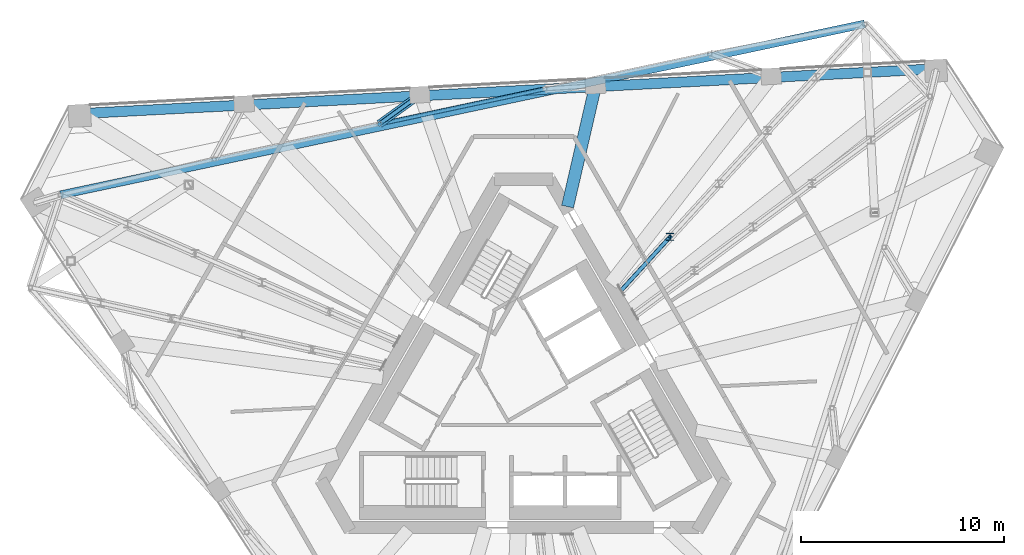
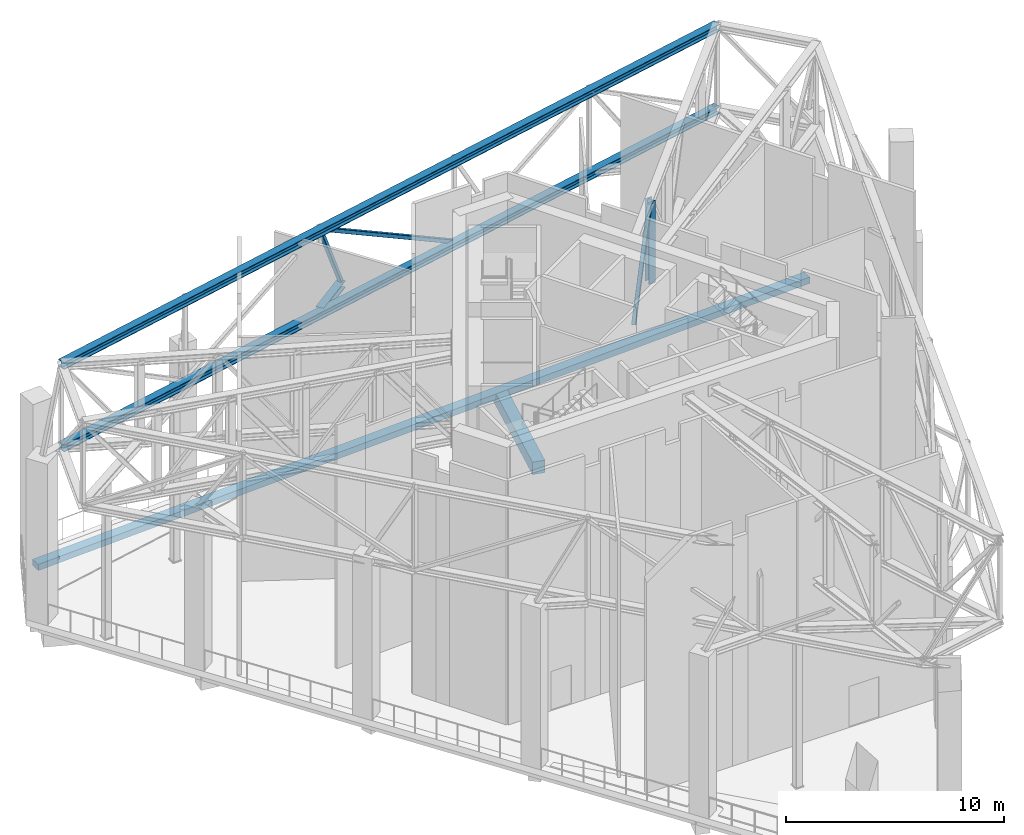
# One storey, part 12 of 23: 7 members, 2 beams.
"""IFC4 building model written with IfcOpenShell, lengths in metres."""

from ifc_helpers import new_model, si_unit, direction, frame, origin, origin_2d, place, context, subcontext, project, spatial, rectangle, hollow_rectangle, i_section, extrude, material, material_profile, profile_set, type_object, element, save


model = new_model("IFC4")

# Units and contexts
model_context = context("Model", 3, precision=1e-05, world=origin(), true_north=direction((0.0, 1.0)))
body_context = subcontext(model_context, "Body", "Model", "MODEL_VIEW")
ifc_project = project(units=[si_unit("LENGTHUNIT", "METRE"), si_unit("AREAUNIT", "SQUARE_METRE"), si_unit("VOLUMEUNIT", "CUBIC_METRE"), si_unit("PLANEANGLEUNIT", "RADIAN"), si_unit("MASSUNIT", "GRAM", prefix="KILO")], contexts=[model_context])

# Site, building, storey
site_placement = place(None, origin())
site = spatial("IfcSite", under=ifc_project, at=site_placement, CompositionType="ELEMENT")
building_placement = place(site_placement, origin())
building = spatial("IfcBuilding", under=site, at=building_placement, Name="Tramontana Tower", CompositionType="ELEMENT")
storey_placement = place(building_placement, frame((0.0, 0.0, 306.39990234375)))
storey = spatial("IfcBuildingStorey", under=building, at=storey_placement, Name="L72", CompositionType="ELEMENT", Elevation=306.39990234375)

# Members
ifc_material_1 = material(Name="Steel ASTM A500 Grade C", Category="steel")
ifc_material_profile_1 = material_profile(ifc_material_1, hollow_rectangle(XDim=0.203125, YDim=0.203125, WallThickness=0.0087890625, InnerFilletRadius=0.0087890625, OuterFilletRadius=0.017822265625, at=origin_2d()), Name="HSS8X8X3/8")
ifc_profile_set_1 = profile_set([ifc_material_profile_1], Name="Steel ASTM A500 Grade C")
member_type_1 = type_object("IfcMemberType", Name="Belt truss HSS8X8X3/8 brace", PredefinedType="BRACE", material=ifc_profile_set_1)
member_1_placement = place(storey_placement, frame((1.030517578125, 15.145263671875, 8.84375), z_axis=(-0.855325865584, -0.181803930719, 0.485144302695), x_axis=(0.207910383976, -0.978147878511, 0.0)))
element("IfcMember", 1, at=member_1_placement, inside=storey, type_object=member_type_1, Name="Belt truss diagonal S2.3", PredefinedType="BRACE", context=body_context, shape_type="SweptSolid", body=[
    extrude(hollow_rectangle(XDim=0.203125, YDim=0.203125, WallThickness=0.0087890625, InnerFilletRadius=0.0087890625, OuterFilletRadius=0.017822265625, at=origin_2d()), origin(), (0.0, 0.0, 1.0), 9.507568359375),
])
ifc_material_2 = material(Name="Steel ASTM A992 Grade 50", Category="steel")
ifc_material_profile_2 = material_profile(ifc_material_2, i_section(OverallWidth=0.39697265625, OverallDepth=0.387451171875, WebThickness=0.020751953125, FlangeThickness=0.033447265625, FilletRadius=0.01513671875, at=origin_2d()), Name="W14X176")
ifc_profile_set_2 = profile_set([ifc_material_profile_2], Name="Steel ASTM A992 Grade 50")
member_type_2 = type_object("IfcMemberType", Name="Belt truss W14X176 chord", PredefinedType="CHORD", material=ifc_profile_set_2)
for number, where, z_axis, x_axis, name in (
    (2, (16.7880859375, 18.34130859375, 8.84375), (-0.9781475037, -0.207912147326, 0.0), (0.207912147326, -0.9781475037, 0.0), "Belt truss bottom chord S2"),
    (3, (16.7880859375, 18.34130859375, 13.456298828125), (-0.9781475037, -0.207912147326, 0.0), (0.207912147326, -0.9781475037, 0.0), "Belt truss top chord S2"),
):
    element("IfcMember", number, at=place(storey_placement, frame(where, z_axis=z_axis, x_axis=x_axis)), inside=storey, type_object=member_type_2, Name=name, PredefinedType="CHORD", context=body_context, shape_type="SweptSolid", body=[
        extrude(i_section(OverallWidth=0.39697265625, OverallDepth=0.387451171875, WebThickness=0.020751953125, FlangeThickness=0.033447265625, FilletRadius=0.01513671875, at=origin_2d()), origin(), (0.0, 0.0, 1.0), 40.46923828125),
    ])
ifc_material_3 = material(Name="Steel ASTM A500 Grade C", Category="steel")
ifc_material_profile_3 = material_profile(ifc_material_3, hollow_rectangle(XDim=0.203125, YDim=0.203125, WallThickness=0.0087890625, InnerFilletRadius=0.0087890625, OuterFilletRadius=0.017822265625, at=origin_2d()), Name="HSS8X8X3/8")
ifc_profile_set_3 = profile_set([ifc_material_profile_3], Name="Steel ASTM A500 Grade C")
member_type_3 = type_object("IfcMemberType", Name="Outrigger truss HSS8X8X3/8 brace", PredefinedType="BRACE", material=ifc_profile_set_3)
member_2_placement = place(storey_placement, frame((4.814208984375, 5.24169921875, 8.84375), z_axis=(0.411461951754, 0.450137445639, 0.792512045519), x_axis=(-0.738104165286, 0.674686772649, 0.0)))
element("IfcMember", 4, at=member_2_placement, inside=storey, type_object=member_type_3, Name="Outrigger truss diagonal 4.1", PredefinedType="BRACE", context=body_context, shape_type="SweptSolid", body=[
    extrude(hollow_rectangle(XDim=0.203125, YDim=0.203125, WallThickness=0.0087890625, InnerFilletRadius=0.0087890625, OuterFilletRadius=0.017822265625, at=origin_2d()), origin(), (0.0, 0.0, 1.0), 5.820068359375),
])
ifc_material_4 = material(Name="Steel ASTM A992 Grade 50", Category="steel")
ifc_material_profile_4 = material_profile(ifc_material_4, i_section(OverallWidth=0.368408203125, OverallDepth=0.355712890625, WebThickness=0.01123046875, FlangeThickness=0.017578125, FilletRadius=0.01513671875, at=origin_2d()), Name="W14X90")
ifc_profile_set_4 = profile_set([ifc_material_profile_4], Name="Steel ASTM A992 Grade 50")
member_type_4 = type_object("IfcMemberType", Name="Outrigger truss W14X90 post", PredefinedType="POST", material=ifc_profile_set_4)
member_3_placement = place(storey_placement, frame((7.208984375, 7.861572265625, 8.84375), z_axis=(0.0, 0.0, 1.0), x_axis=(1.0, 0.0, 0.0)))
element("IfcMember", 5, at=member_3_placement, inside=storey, type_object=member_type_4, Name="Outrigger truss post 4.1", PredefinedType="POST", context=body_context, shape_type="SweptSolid", body=[
    extrude(i_section(OverallWidth=0.368408203125, OverallDepth=0.355712890625, WebThickness=0.01123046875, FlangeThickness=0.017578125, FilletRadius=0.01513671875, at=origin_2d()), origin(), (0.0, 0.0, 1.0), 4.612548828125),
])

# Beams
ifc_material_5 = material(Name="Concrete 40 MPa", Category="concrete")
ifc_material_profile_5 = material_profile(ifc_material_5, rectangle(XDim=0.5, YDim=0.35009765625, at=origin_2d()), Name="RC EDGE BEAM 500X350 40 MPa")
ifc_profile_set_5 = profile_set([ifc_material_profile_5], Name="Concrete 40 MPa")
beam_type_1 = type_object("IfcBeamType", Name="RC EDGE BEAM 500X350 40 MPa", PredefinedType="SPANDREL", material=ifc_profile_set_5)
beam_1_placement = place(storey_placement, frame((20.2841796875, 16.1337890625, -0.52490234375), z_axis=(-0.998629423141, -0.052338085918, 0.0), x_axis=(0.052338085918, -0.998629423141, 0.0)))
element("IfcBeam", 6, at=beam_1_placement, inside=storey, type_object=beam_type_1, Name="Spandrel beam S2 L72", PredefinedType="SPANDREL", context=body_context, shape_type="SweptSolid", body=[
    extrude(rectangle(XDim=0.5, YDim=0.35009765625, at=origin_2d()), origin(), (0.0, 0.0, 1.0), 42.201416015625),
])
ifc_material_6 = material(Name="Concrete 40 MPa", Category="concrete")
ifc_material_profile_6 = material_profile(ifc_material_6, rectangle(XDim=0.60009765625, YDim=0.699951171875, at=origin_2d()), Name="RC GIRDER 600X700 40 MPa")
ifc_profile_set_6 = profile_set([ifc_material_profile_6], Name="Concrete 40 MPa")
beam_type_2 = type_object("IfcBeamType", Name="RC GIRDER 600X700 40 MPa", PredefinedType="BEAM", material=ifc_profile_set_6)
beam_2_placement = place(storey_placement, frame((3.533935546875, 15.305908203125, -0.699951171875), z_axis=(-0.224955788451, -0.974368971818, 0.0), x_axis=(0.974368971818, -0.224955788451, 0.0)))
element("IfcBeam", 7, at=beam_2_placement, inside=storey, type_object=beam_type_2, Name="Radial girder C7F10 L72", PredefinedType="BEAM", context=body_context, shape_type="SweptSolid", body=[
    extrude(rectangle(XDim=0.60009765625, YDim=0.699951171875, at=origin_2d()), origin(), (0.0, 0.0, 1.0), 6.111328125),
])

# Members
ifc_material_7 = material(Name="Steel ASTM A500 Grade C", Category="steel")
ifc_material_profile_7 = material_profile(ifc_material_7, hollow_rectangle(XDim=0.203125, YDim=0.203125, WallThickness=0.0087890625, InnerFilletRadius=0.0087890625, OuterFilletRadius=0.017822265625, at=origin_2d()), Name="HSS8X8X3/8")
ifc_profile_set_7 = profile_set([ifc_material_profile_7], Name="Steel ASTM A500 Grade C")
member_type_5 = type_object("IfcMemberType", Name="Transfer truss HSS8X8X3/8 brace", PredefinedType="BRACE", material=ifc_profile_set_7)
member_4_placement = place(storey_placement, frame((-5.114501953125, 14.852783203125, 8.84375), z_axis=(-0.38039908691, -0.274911835508, 0.883017563458), x_axis=(0.585741399765, -0.810498002836, 0.0)))
element("IfcMember", 8, at=member_4_placement, inside=storey, type_object=member_type_5, Name="Transfer truss strut C8F11 diagonal", PredefinedType="BRACE", context=body_context, shape_type="SweptSolid", body=[
    extrude(hollow_rectangle(XDim=0.203125, YDim=0.203125, WallThickness=0.0087890625, InnerFilletRadius=0.0087890625, OuterFilletRadius=0.017822265625, at=origin_2d()), origin(), (0.0, 0.0, 1.0), 5.2236328125),
])
ifc_material_8 = material(Name="Steel ASTM A992 Grade 50", Category="steel")
ifc_material_profile_8 = material_profile(ifc_material_8, i_section(OverallWidth=0.39697265625, OverallDepth=0.387451171875, WebThickness=0.020751953125, FlangeThickness=0.033447265625, FilletRadius=0.01513671875, at=origin_2d()), Name="W14X176")
ifc_profile_set_8 = profile_set([ifc_material_profile_8], Name="Steel ASTM A992 Grade 50")
member_type_6 = type_object("IfcMemberType", Name="Transfer truss W14X176 strut", PredefinedType="STRUT", material=ifc_profile_set_8)
member_5_placement = place(storey_placement, frame((-5.114501953125, 14.852783203125, 8.84375), z_axis=(-0.810498002836, -0.585741399765, 0.0), x_axis=(0.585741399765, -0.810498002836, 0.0)))
element("IfcMember", 9, at=member_5_placement, inside=storey, type_object=member_type_6, Name="Transfer truss strut C8F11 bottom", PredefinedType="STRUT", context=body_context, shape_type="SweptSolid", body=[
    extrude(i_section(OverallWidth=0.39697265625, OverallDepth=0.387451171875, WebThickness=0.020751953125, FlangeThickness=0.033447265625, FilletRadius=0.01513671875, at=origin_2d()), origin(), (0.0, 0.0, 1.0), 2.45166015625),
])

save(model, "model.ifc")
